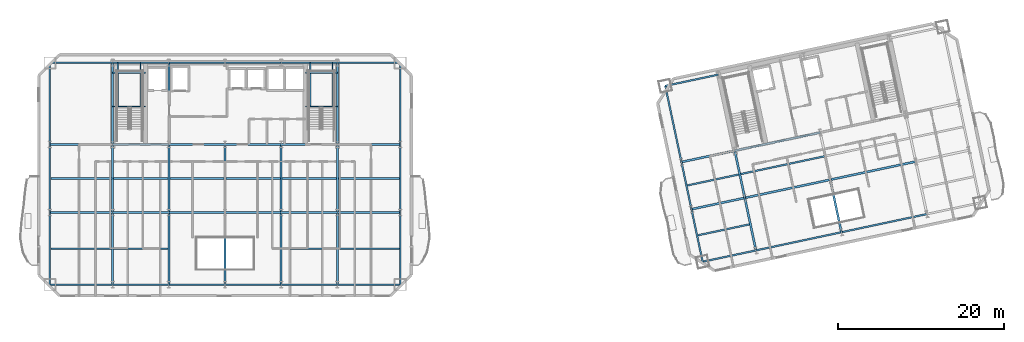
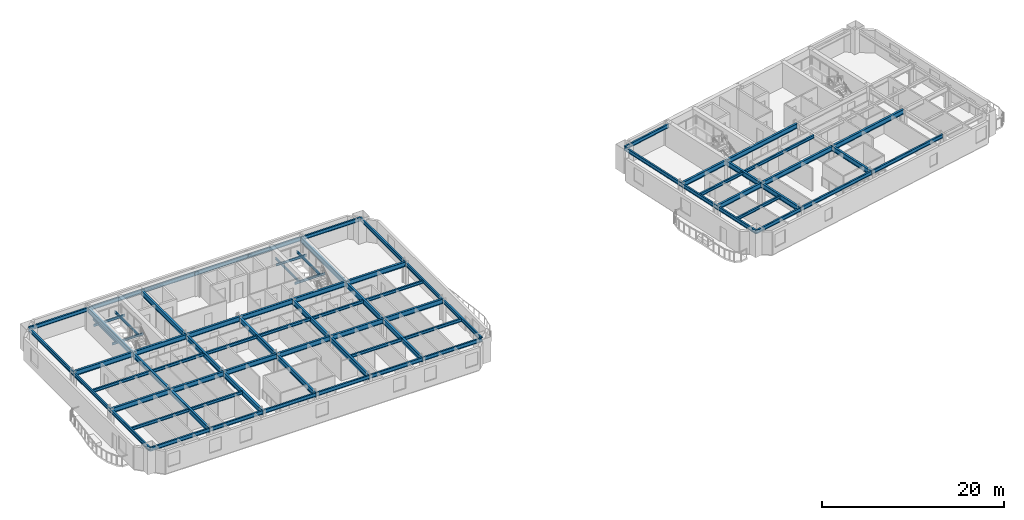
# One storey, part 3 of 14: 79 beams.
"""IFC4 building model written with IfcOpenShell, lengths in metres."""

from ifc_helpers import new_model, si_unit, direction, frame, origin, origin_2d, place, context, subcontext, project, spatial, i_section, extrude, material, material_profile, profile_set, type_object, element, save


model = new_model("IFC4")

# Units and contexts
model_context = context("Model", 3, precision=1e-05, world=origin(), true_north=direction((0.0, 1.0)))
body_context = subcontext(model_context, "Body", "Model", "MODEL_VIEW")
ifc_project = project(units=[si_unit("LENGTHUNIT", "METRE"), si_unit("AREAUNIT", "SQUARE_METRE"), si_unit("VOLUMEUNIT", "CUBIC_METRE"), si_unit("PLANEANGLEUNIT", "RADIAN"), si_unit("MASSUNIT", "GRAM", prefix="KILO")], contexts=[model_context])

# Site, building, storey
site_placement = place(None, origin())
site = spatial("IfcSite", under=ifc_project, at=site_placement, CompositionType="ELEMENT")
building_placement = place(site_placement, origin())
building = spatial("IfcBuilding", under=site, at=building_placement, Name="Haevon Station Towers", CompositionType="ELEMENT")
storey_placement = place(building_placement, frame((0.0, 0.0, 119.699951171875)))
storey = spatial("IfcBuildingStorey", under=building, at=storey_placement, Name="L32", CompositionType="ELEMENT", Elevation=119.699951171875)

# Beams
ifc_material = material(Name="Steel S355", Category="steel")
ifc_material_profile_1 = material_profile(ifc_material, i_section(OverallWidth=0.25, OverallDepth=0.64990234375, WebThickness=0.012939453125, FlangeThickness=0.02197265625, at=origin_2d()), Name="H-650x250x13x22")
ifc_profile_set_1 = profile_set([ifc_material_profile_1], Name="Steel S355")
beam_type_1 = type_object("IfcBeamType", Name="BM-G650", PredefinedType="BEAM", material=ifc_profile_set_1)
beam_1_placement = place(storey_placement, frame((16.449951171875, 30.0, 2.72509765625), z_axis=(1.0, 0.0, 0.0), x_axis=(0.0, 1.0, 0.0)))
element("IfcBeam", 1, at=beam_1_placement, inside=storey, type_object=beam_type_1, Name="BM-T1U-L32-02-01", PredefinedType="BEAM", context=body_context, shape_type="SweptSolid", body=[
    extrude(i_section(OverallWidth=0.25, OverallDepth=0.64990234375, WebThickness=0.012939453125, FlangeThickness=0.02197265625, at=origin_2d()), origin(), (0.0, 0.0, 1.0), 7.550048828125),
])
for number, where, z_axis, x_axis, name in (
    (2, (24.0, 30.0, 2.72509765625), (1.0, 0.0, 0.0), (0.0, 1.0, 0.0), "BM-T1U-L32-02-02"),
    (3, (30.75, 30.0, 2.72509765625), (1.0, 0.0, 0.0), (0.0, 1.0, 0.0), "BM-T1U-L32-02-03"),
    (4, (37.5, 30.0, 2.72509765625), (1.0, 0.0, 0.0), (0.0, 1.0, 0.0), "BM-T1U-L32-02-04"),
    (5, (44.25, 30.0, 2.72509765625), (1.0, 0.0, 0.0), (0.0, 1.0, 0.0), "BM-T1U-L32-02-05"),
):
    element("IfcBeam", number, at=place(storey_placement, frame(where, z_axis=z_axis, x_axis=x_axis)), inside=storey, type_object=beam_type_1, Name=name, PredefinedType="BEAM", context=body_context, shape_type="SweptSolid", body=[
        extrude(i_section(OverallWidth=0.25, OverallDepth=0.64990234375, WebThickness=0.012939453125, FlangeThickness=0.02197265625, at=origin_2d()), origin(), (0.0, 0.0, 1.0), 6.75),
    ])
for number, where, z_axis, x_axis, name in (
    (6, (51.0, 30.0, 2.72509765625), (1.0, 0.0, 0.0), (0.0, 1.0, 0.0), "BM-T1U-L32-02-06"),
    (7, (16.449951171875, 38.199951171875, 2.72509765625), (1.0, 0.0, 0.0), (0.0, 1.0, 0.0), "BM-T1U-L32-03-01"),
):
    element("IfcBeam", number, at=place(storey_placement, frame(where, z_axis=z_axis, x_axis=x_axis)), inside=storey, type_object=beam_type_1, Name=name, PredefinedType="BEAM", context=body_context, shape_type="SweptSolid", body=[
        extrude(i_section(OverallWidth=0.25, OverallDepth=0.64990234375, WebThickness=0.012939453125, FlangeThickness=0.02197265625, at=origin_2d()), origin(), (0.0, 0.0, 1.0), 7.550048828125),
    ])
for number, where, z_axis, x_axis, name in (
    (8, (24.0, 38.199951171875, 2.72509765625), (1.0, 0.0, 0.0), (0.0, 1.0, 0.0), "BM-T1U-L32-03-02"),
    (9, (30.75, 38.199951171875, 2.72509765625), (1.0, 0.0, 0.0), (0.0, 1.0, 0.0), "BM-T1U-L32-03-03"),
    (10, (37.5, 38.199951171875, 2.72509765625), (1.0, 0.0, 0.0), (0.0, 1.0, 0.0), "BM-T1U-L32-03-04"),
    (11, (44.25, 38.199951171875, 2.72509765625), (1.0, 0.0, 0.0), (0.0, 1.0, 0.0), "BM-T1U-L32-03-05"),
):
    element("IfcBeam", number, at=place(storey_placement, frame(where, z_axis=z_axis, x_axis=x_axis)), inside=storey, type_object=beam_type_1, Name=name, PredefinedType="BEAM", context=body_context, shape_type="SweptSolid", body=[
        extrude(i_section(OverallWidth=0.25, OverallDepth=0.64990234375, WebThickness=0.012939453125, FlangeThickness=0.02197265625, at=origin_2d()), origin(), (0.0, 0.0, 1.0), 6.75),
    ])
beam_2_placement = place(storey_placement, frame((51.0, 38.199951171875, 2.72509765625), z_axis=(1.0, 0.0, 0.0), x_axis=(0.0, 1.0, 0.0)))
element("IfcBeam", 12, at=beam_2_placement, inside=storey, type_object=beam_type_1, Name="BM-T1U-L32-03-06", PredefinedType="BEAM", context=body_context, shape_type="SweptSolid", body=[
    extrude(i_section(OverallWidth=0.25, OverallDepth=0.64990234375, WebThickness=0.012939453125, FlangeThickness=0.02197265625, at=origin_2d()), origin(), (0.0, 0.0, 1.0), 7.550048828125),
])
beam_3_placement = place(storey_placement, frame((24.0, 21.35009765625, 2.72509765625), z_axis=(0.0, 1.0, 0.0), x_axis=(-1.0, 0.0, 0.0)))
element("IfcBeam", 13, at=beam_3_placement, inside=storey, type_object=beam_type_1, Name="BM-T1V-L32-02-01", PredefinedType="BEAM", context=body_context, shape_type="SweptSolid", body=[
    extrude(i_section(OverallWidth=0.25, OverallDepth=0.64990234375, WebThickness=0.012939453125, FlangeThickness=0.02197265625, at=origin_2d()), origin(), (0.0, 0.0, 1.0), 8.64990234375),
])
beam_4_placement = place(storey_placement, frame((24.0, 30.0, 2.72509765625), z_axis=(0.0, 1.0, 0.0), x_axis=(-1.0, 0.0, 0.0)))
element("IfcBeam", 14, at=beam_4_placement, inside=storey, type_object=beam_type_1, Name="BM-T1V-L32-02-02", PredefinedType="BEAM", context=body_context, shape_type="SweptSolid", body=[
    extrude(i_section(OverallWidth=0.25, OverallDepth=0.64990234375, WebThickness=0.012939453125, FlangeThickness=0.02197265625, at=origin_2d()), origin(), (0.0, 0.0, 1.0), 8.199951171875),
])
beam_5_placement = place(storey_placement, frame((24.0, 38.199951171875, 2.72509765625), z_axis=(0.0, 1.0, 0.0), x_axis=(-1.0, 0.0, 0.0)))
element("IfcBeam", 15, at=beam_5_placement, inside=storey, type_object=beam_type_1, Name="BM-T1V-L32-02-03", PredefinedType="BEAM", context=body_context, shape_type="SweptSolid", body=[
    extrude(i_section(OverallWidth=0.25, OverallDepth=0.64990234375, WebThickness=0.012939453125, FlangeThickness=0.02197265625, at=origin_2d()), origin(), (0.0, 0.0, 1.0), 9.800048828125),
])
beam_6_placement = place(storey_placement, frame((30.75, 21.35009765625, 2.72509765625), z_axis=(0.0, 1.0, 0.0), x_axis=(-1.0, 0.0, 0.0)))
element("IfcBeam", 16, at=beam_6_placement, inside=storey, type_object=beam_type_1, Name="BM-T1V-L32-03-01", PredefinedType="BEAM", context=body_context, shape_type="SweptSolid", body=[
    extrude(i_section(OverallWidth=0.25, OverallDepth=0.64990234375, WebThickness=0.012939453125, FlangeThickness=0.02197265625, at=origin_2d()), origin(), (0.0, 0.0, 1.0), 8.64990234375),
])
beam_7_placement = place(storey_placement, frame((30.75, 30.0, 2.72509765625), z_axis=(0.0, 1.0, 0.0), x_axis=(-1.0, 0.0, 0.0)))
element("IfcBeam", 17, at=beam_7_placement, inside=storey, type_object=beam_type_1, Name="BM-T1V-L32-03-02", PredefinedType="BEAM", context=body_context, shape_type="SweptSolid", body=[
    extrude(i_section(OverallWidth=0.25, OverallDepth=0.64990234375, WebThickness=0.012939453125, FlangeThickness=0.02197265625, at=origin_2d()), origin(), (0.0, 0.0, 1.0), 8.199951171875),
])
beam_8_placement = place(storey_placement, frame((30.75, 38.199951171875, 2.72509765625), z_axis=(0.0, 1.0, 0.0), x_axis=(-1.0, 0.0, 0.0)))
element("IfcBeam", 18, at=beam_8_placement, inside=storey, type_object=beam_type_1, Name="BM-T1V-L32-03-03", PredefinedType="BEAM", context=body_context, shape_type="SweptSolid", body=[
    extrude(i_section(OverallWidth=0.25, OverallDepth=0.64990234375, WebThickness=0.012939453125, FlangeThickness=0.02197265625, at=origin_2d()), origin(), (0.0, 0.0, 1.0), 9.800048828125),
])
beam_9_placement = place(storey_placement, frame((37.5, 21.35009765625, 2.72509765625), z_axis=(0.0, 1.0, 0.0), x_axis=(-1.0, 0.0, 0.0)))
element("IfcBeam", 19, at=beam_9_placement, inside=storey, type_object=beam_type_1, Name="BM-T1V-L32-04-01", PredefinedType="BEAM", context=body_context, shape_type="SweptSolid", body=[
    extrude(i_section(OverallWidth=0.25, OverallDepth=0.64990234375, WebThickness=0.012939453125, FlangeThickness=0.02197265625, at=origin_2d()), origin(), (0.0, 0.0, 1.0), 8.64990234375),
])
beam_10_placement = place(storey_placement, frame((37.5, 30.0, 2.72509765625), z_axis=(0.0, 1.0, 0.0), x_axis=(-1.0, 0.0, 0.0)))
element("IfcBeam", 20, at=beam_10_placement, inside=storey, type_object=beam_type_1, Name="BM-T1V-L32-04-02", PredefinedType="BEAM", context=body_context, shape_type="SweptSolid", body=[
    extrude(i_section(OverallWidth=0.25, OverallDepth=0.64990234375, WebThickness=0.012939453125, FlangeThickness=0.02197265625, at=origin_2d()), origin(), (0.0, 0.0, 1.0), 8.199951171875),
])
beam_11_placement = place(storey_placement, frame((44.25, 21.35009765625, 2.72509765625), z_axis=(0.0, 1.0, 0.0), x_axis=(-1.0, 0.0, 0.0)))
element("IfcBeam", 21, at=beam_11_placement, inside=storey, type_object=beam_type_1, Name="BM-T1V-L32-05-01", PredefinedType="BEAM", context=body_context, shape_type="SweptSolid", body=[
    extrude(i_section(OverallWidth=0.25, OverallDepth=0.64990234375, WebThickness=0.012939453125, FlangeThickness=0.02197265625, at=origin_2d()), origin(), (0.0, 0.0, 1.0), 8.64990234375),
])
beam_12_placement = place(storey_placement, frame((44.25, 30.0, 2.72509765625), z_axis=(0.0, 1.0, 0.0), x_axis=(-1.0, 0.0, 0.0)))
element("IfcBeam", 22, at=beam_12_placement, inside=storey, type_object=beam_type_1, Name="BM-T1V-L32-05-02", PredefinedType="BEAM", context=body_context, shape_type="SweptSolid", body=[
    extrude(i_section(OverallWidth=0.25, OverallDepth=0.64990234375, WebThickness=0.012939453125, FlangeThickness=0.02197265625, at=origin_2d()), origin(), (0.0, 0.0, 1.0), 8.199951171875),
])
beam_13_placement = place(storey_placement, frame((51.0, 21.35009765625, 2.72509765625), z_axis=(0.0, 1.0, 0.0), x_axis=(-1.0, 0.0, 0.0)))
element("IfcBeam", 23, at=beam_13_placement, inside=storey, type_object=beam_type_1, Name="BM-T1V-L32-06-01", PredefinedType="BEAM", context=body_context, shape_type="SweptSolid", body=[
    extrude(i_section(OverallWidth=0.25, OverallDepth=0.64990234375, WebThickness=0.012939453125, FlangeThickness=0.02197265625, at=origin_2d()), origin(), (0.0, 0.0, 1.0), 8.64990234375),
])
beam_14_placement = place(storey_placement, frame((51.0, 30.0, 2.72509765625), z_axis=(0.0, 1.0, 0.0), x_axis=(-1.0, 0.0, 0.0)))
element("IfcBeam", 24, at=beam_14_placement, inside=storey, type_object=beam_type_1, Name="BM-T1V-L32-06-02", PredefinedType="BEAM", context=body_context, shape_type="SweptSolid", body=[
    extrude(i_section(OverallWidth=0.25, OverallDepth=0.64990234375, WebThickness=0.012939453125, FlangeThickness=0.02197265625, at=origin_2d()), origin(), (0.0, 0.0, 1.0), 8.199951171875),
])
beam_15_placement = place(storey_placement, frame((51.0, 38.199951171875, 2.72509765625), z_axis=(0.0, 1.0, 0.0), x_axis=(-1.0, 0.0, 0.0)))
element("IfcBeam", 25, at=beam_15_placement, inside=storey, type_object=beam_type_1, Name="BM-T1V-L32-06-03", PredefinedType="BEAM", context=body_context, shape_type="SweptSolid", body=[
    extrude(i_section(OverallWidth=0.25, OverallDepth=0.64990234375, WebThickness=0.012939453125, FlangeThickness=0.02197265625, at=origin_2d()), origin(), (0.0, 0.0, 1.0), 9.800048828125),
])
beam_16_placement = place(storey_placement, frame((93.55126953125, 30.4072265625, 2.72509765625), z_axis=(0.978148524343, 0.207907345532, 0.0), x_axis=(-0.207907345532, 0.978148524343, 0.0)))
element("IfcBeam", 26, at=beam_16_placement, inside=storey, type_object=beam_type_1, Name="BM-T2U-L32-02-01", PredefinedType="BEAM", context=body_context, shape_type="SweptSolid", body=[
    extrude(i_section(OverallWidth=0.25, OverallDepth=0.64990234375, WebThickness=0.012939453125, FlangeThickness=0.02197265625, at=origin_2d()), origin(), (0.0, 0.0, 1.0), 6.550048828125),
])
for number, where, z_axis, x_axis, name in (
    (27, (99.958251953125, 31.76904296875, 2.72509765625), (0.978146794194, 0.207915485254, 0.0), (-0.207915485254, 0.978146794194, 0.0), "BM-T2U-L32-02-02"),
    (28, (110.228759765625, 33.9521484375, 2.72509765625), (0.978146794194, 0.207915485254, 0.0), (-0.207915485254, 0.978146794194, 0.0), "BM-T2U-L32-02-03"),
):
    element("IfcBeam", number, at=place(storey_placement, frame(where, z_axis=z_axis, x_axis=x_axis)), inside=storey, type_object=beam_type_1, Name=name, PredefinedType="BEAM", context=body_context, shape_type="SweptSolid", body=[
        extrude(i_section(OverallWidth=0.25, OverallDepth=0.64990234375, WebThickness=0.012939453125, FlangeThickness=0.02197265625, at=origin_2d()), origin(), (0.0, 0.0, 1.0), 10.5),
    ])
beam_17_placement = place(storey_placement, frame((92.345458984375, 36.08056640625, 2.72509765625), z_axis=(0.978148524343, 0.207907345532, 0.0), x_axis=(-0.207907345532, 0.978148524343, 0.0)))
element("IfcBeam", 29, at=beam_17_placement, inside=storey, type_object=beam_type_1, Name="BM-T2U-L32-03-01", PredefinedType="BEAM", context=body_context, shape_type="SweptSolid", body=[
    extrude(i_section(OverallWidth=0.25, OverallDepth=0.64990234375, WebThickness=0.012939453125, FlangeThickness=0.02197265625, at=origin_2d()), origin(), (0.0, 0.0, 1.0), 6.550048828125),
])
beam_18_placement = place(storey_placement, frame((98.75244140625, 37.4423828125, 2.72509765625), z_axis=(0.978146794194, 0.207915485254, 0.0), x_axis=(-0.207915485254, 0.978146794194, 0.0)))
element("IfcBeam", 30, at=beam_18_placement, inside=storey, type_object=beam_type_1, Name="BM-T2U-L32-03-02", PredefinedType="BEAM", context=body_context, shape_type="SweptSolid", body=[
    extrude(i_section(OverallWidth=0.25, OverallDepth=0.64990234375, WebThickness=0.012939453125, FlangeThickness=0.02197265625, at=origin_2d()), origin(), (0.0, 0.0, 1.0), 10.5),
])
beam_19_placement = place(storey_placement, frame((101.29931640625, 25.460205078125, 2.72509765625), z_axis=(-0.207923493292, 0.978145091966, 0.0), x_axis=(-0.978145091966, -0.207923493292, 0.0)))
element("IfcBeam", 31, at=beam_19_placement, inside=storey, type_object=beam_type_1, Name="BM-T2V-L32-02-01", PredefinedType="BEAM", context=body_context, shape_type="SweptSolid", body=[
    extrude(i_section(OverallWidth=0.25, OverallDepth=0.64990234375, WebThickness=0.012939453125, FlangeThickness=0.02197265625, at=origin_2d()), origin(), (0.0, 0.0, 1.0), 6.44970703125),
])
beam_20_placement = place(storey_placement, frame((99.958251953125, 31.76904296875, 2.72509765625), z_axis=(-0.207896009217, 0.97815093383, 0.0), x_axis=(-0.97815093383, -0.207896009217, 0.0)))
element("IfcBeam", 32, at=beam_20_placement, inside=storey, type_object=beam_type_1, Name="BM-T2V-L32-02-02", PredefinedType="BEAM", context=body_context, shape_type="SweptSolid", body=[
    extrude(i_section(OverallWidth=0.25, OverallDepth=0.64990234375, WebThickness=0.012939453125, FlangeThickness=0.02197265625, at=origin_2d()), origin(), (0.0, 0.0, 1.0), 5.800048828125),
])
beam_21_placement = place(storey_placement, frame((111.56982421875, 27.64306640625, 2.72509765625), z_axis=(-0.207915795165, 0.978146728319, 0.0), x_axis=(-0.978146728319, -0.207915795165, 0.0)))
element("IfcBeam", 33, at=beam_21_placement, inside=storey, type_object=beam_type_1, Name="BM-T2V-L32-03-01", PredefinedType="BEAM", context=body_context, shape_type="SweptSolid", body=[
    extrude(i_section(OverallWidth=0.25, OverallDepth=0.64990234375, WebThickness=0.012939453125, FlangeThickness=0.02197265625, at=origin_2d()), origin(), (0.0, 0.0, 1.0), 6.449951171875),
])
ifc_material_profile_2 = material_profile(ifc_material, i_section(OverallWidth=0.199951171875, OverallDepth=0.39990234375, WebThickness=0.008056640625, FlangeThickness=0.012939453125, at=origin_2d()), Name="H-400x200x8x13")
ifc_profile_set_2 = profile_set([ifc_material_profile_2], Name="Steel S355")
beam_type_2 = type_object("IfcBeamType", Name="BM-J400", PredefinedType="JOIST", material=ifc_profile_set_2)
beam_22_placement = place(storey_placement, frame((16.56005859375, 25.675048828125, 2.85009765625), z_axis=(1.0, 0.0, 0.0), x_axis=(0.0, 1.0, 0.0)))
element("IfcBeam", 34, at=beam_22_placement, inside=storey, type_object=beam_type_2, Name="BM-T1J-L32-01-01", PredefinedType="JOIST", context=body_context, shape_type="SweptSolid", body=[
    extrude(i_section(OverallWidth=0.199951171875, OverallDepth=0.39990234375, WebThickness=0.008056640625, FlangeThickness=0.012939453125, at=origin_2d()), origin(), (0.0, 0.0, 1.0), 7.329833984375),
])
for number, where, z_axis, x_axis, name in (
    (35, (24.110107421875, 25.675048828125, 2.85009765625), (1.0, 0.0, 0.0), (0.0, 1.0, 0.0), "BM-T1J-L32-01-02"),
    (36, (44.360107421875, 25.675048828125, 2.85009765625), (1.0, 0.0, 0.0), (0.0, 1.0, 0.0), "BM-T1J-L32-01-05"),
):
    element("IfcBeam", number, at=place(storey_placement, frame(where, z_axis=z_axis, x_axis=x_axis)), inside=storey, type_object=beam_type_2, Name=name, PredefinedType="JOIST", context=body_context, shape_type="SweptSolid", body=[
        extrude(i_section(OverallWidth=0.199951171875, OverallDepth=0.39990234375, WebThickness=0.008056640625, FlangeThickness=0.012939453125, at=origin_2d()), origin(), (0.0, 0.0, 1.0), 6.52978515625),
    ])
for number, where, z_axis, x_axis, name in (
    (37, (51.110107421875, 25.675048828125, 2.85009765625), (1.0, 0.0, 0.0), (0.0, 1.0, 0.0), "BM-T1J-L32-01-06"),
    (38, (16.56005859375, 34.10009765625, 2.85009765625), (1.0, 0.0, 0.0), (0.0, 1.0, 0.0), "BM-T1J-L32-02-01"),
):
    element("IfcBeam", number, at=place(storey_placement, frame(where, z_axis=z_axis, x_axis=x_axis)), inside=storey, type_object=beam_type_2, Name=name, PredefinedType="JOIST", context=body_context, shape_type="SweptSolid", body=[
        extrude(i_section(OverallWidth=0.199951171875, OverallDepth=0.39990234375, WebThickness=0.008056640625, FlangeThickness=0.012939453125, at=origin_2d()), origin(), (0.0, 0.0, 1.0), 7.329833984375),
    ])
for number, where, z_axis, x_axis, name in (
    (39, (24.110107421875, 34.10009765625, 2.85009765625), (1.0, 0.0, 0.0), (0.0, 1.0, 0.0), "BM-T1J-L32-02-02"),
    (40, (30.860107421875, 34.10009765625, 2.85009765625), (1.0, 0.0, 0.0), (0.0, 1.0, 0.0), "BM-T1J-L32-02-03"),
    (41, (37.610107421875, 34.10009765625, 2.85009765625), (1.0, 0.0, 0.0), (0.0, 1.0, 0.0), "BM-T1J-L32-02-04"),
    (42, (44.360107421875, 34.10009765625, 2.85009765625), (1.0, 0.0, 0.0), (0.0, 1.0, 0.0), "BM-T1J-L32-02-05"),
):
    element("IfcBeam", number, at=place(storey_placement, frame(where, z_axis=z_axis, x_axis=x_axis)), inside=storey, type_object=beam_type_2, Name=name, PredefinedType="JOIST", context=body_context, shape_type="SweptSolid", body=[
        extrude(i_section(OverallWidth=0.199951171875, OverallDepth=0.39990234375, WebThickness=0.008056640625, FlangeThickness=0.012939453125, at=origin_2d()), origin(), (0.0, 0.0, 1.0), 6.52978515625),
    ])
beam_23_placement = place(storey_placement, frame((51.110107421875, 34.10009765625, 2.85009765625), z_axis=(1.0, 0.0, 0.0), x_axis=(0.0, 1.0, 0.0)))
element("IfcBeam", 43, at=beam_23_placement, inside=storey, type_object=beam_type_2, Name="BM-T1J-L32-02-06", PredefinedType="JOIST", context=body_context, shape_type="SweptSolid", body=[
    extrude(i_section(OverallWidth=0.199951171875, OverallDepth=0.39990234375, WebThickness=0.008056640625, FlangeThickness=0.012939453125, at=origin_2d()), origin(), (0.0, 0.0, 1.0), 7.329833984375),
])
beam_24_placement = place(storey_placement, frame((94.32958984375, 27.275634765625, 2.85009765625), z_axis=(0.978144831517, 0.207924718533, 0.0), x_axis=(-0.207924718533, 0.978144831517, 0.0)))
element("IfcBeam", 44, at=beam_24_placement, inside=storey, type_object=beam_type_2, Name="BM-T2J-L32-01-01", PredefinedType="JOIST", context=body_context, shape_type="SweptSolid", body=[
    extrude(i_section(OverallWidth=0.199951171875, OverallDepth=0.39990234375, WebThickness=0.008056640625, FlangeThickness=0.012939453125, at=origin_2d()), origin(), (0.0, 0.0, 1.0), 6.330078125),
])
beam_25_placement = place(storey_placement, frame((93.055908203125, 33.266845703125, 2.85009765625), z_axis=(0.978146498858, 0.207916874669, 0.0), x_axis=(-0.207916874669, 0.978146498858, 0.0)))
element("IfcBeam", 45, at=beam_25_placement, inside=storey, type_object=beam_type_2, Name="BM-T2J-L32-02-01", PredefinedType="JOIST", context=body_context, shape_type="SweptSolid", body=[
    extrude(i_section(OverallWidth=0.199951171875, OverallDepth=0.39990234375, WebThickness=0.008056640625, FlangeThickness=0.012939453125, at=origin_2d()), origin(), (0.0, 0.0, 1.0), 6.330322265625),
])
beam_26_placement = place(storey_placement, frame((99.462890625, 34.628662109375, 2.85009765625), z_axis=(0.978150339653, 0.207898804801, 0.0), x_axis=(-0.207898804801, 0.978150339653, 0.0)))
element("IfcBeam", 46, at=beam_26_placement, inside=storey, type_object=beam_type_2, Name="BM-T2J-L32-02-02", PredefinedType="JOIST", context=body_context, shape_type="SweptSolid", body=[
    extrude(i_section(OverallWidth=0.199951171875, OverallDepth=0.39990234375, WebThickness=0.008056640625, FlangeThickness=0.012939453125, at=origin_2d()), origin(), (0.0, 0.0, 1.0), 10.280029296875),
])
ifc_material_profile_3 = material_profile(ifc_material, i_section(OverallWidth=0.14990234375, OverallDepth=0.300048828125, WebThickness=0.006591796875, FlangeThickness=0.009033203125, at=origin_2d()), Name="H-300x150x6.5x9")
ifc_profile_set_3 = profile_set([ifc_material_profile_3], Name="Steel S355")
beam_type_3 = type_object("IfcBeamType", Name="BM-LIN300", PredefinedType="LINTEL", material=ifc_profile_set_3)
for number, where, z_axis, x_axis, name in (
    (47, (24.0, 42.743896484375, 1.300048828125), (1.0, 0.0, 0.0), (0.0, 1.0, 0.0), "BM-ST1L-L32-1-S"),
    (48, (24.0, 46.820068359375, 1.300048828125), (1.0, 0.0, 0.0), (0.0, 1.0, 0.0), "BM-ST1L-L32-1-N"),
):
    element("IfcBeam", number, at=place(storey_placement, frame(where, z_axis=z_axis, x_axis=x_axis)), inside=storey, type_object=beam_type_3, Name=name, PredefinedType="LINTEL", context=body_context, shape_type="SweptSolid", body=[
        extrude(i_section(OverallWidth=0.14990234375, OverallDepth=0.300048828125, WebThickness=0.006591796875, FlangeThickness=0.009033203125, at=origin_2d()), origin(), (0.0, 0.0, 1.0), 3.949951171875),
    ])
for number, where, z_axis, x_axis, name in (
    (49, (24.60009765625, 42.743896484375, 1.300048828125), (0.0, 1.0, 0.0), (-1.0, 0.0, 0.0), "BM-ST1L-L32-1-W"),
    (50, (27.35009765625, 42.743896484375, 1.300048828125), (0.0, 1.0, 0.0), (-1.0, 0.0, 0.0), "BM-ST1L-L32-1-E"),
):
    element("IfcBeam", number, at=place(storey_placement, frame(where, z_axis=z_axis, x_axis=x_axis)), inside=storey, type_object=beam_type_3, Name=name, PredefinedType="LINTEL", context=body_context, shape_type="SweptSolid", body=[
        extrude(i_section(OverallWidth=0.14990234375, OverallDepth=0.300048828125, WebThickness=0.006591796875, FlangeThickness=0.009033203125, at=origin_2d()), origin(), (0.0, 0.0, 1.0), 5.256103515625),
    ])
for number, where, z_axis, x_axis, name in (
    (51, (47.14990234375, 42.743896484375, 1.300048828125), (1.0, 0.0, 0.0), (0.0, 1.0, 0.0), "BM-ST2L-L32-1-S"),
    (52, (47.14990234375, 46.820068359375, 1.300048828125), (1.0, 0.0, 0.0), (0.0, 1.0, 0.0), "BM-ST2L-L32-1-N"),
):
    element("IfcBeam", number, at=place(storey_placement, frame(where, z_axis=z_axis, x_axis=x_axis)), inside=storey, type_object=beam_type_3, Name=name, PredefinedType="LINTEL", context=body_context, shape_type="SweptSolid", body=[
        extrude(i_section(OverallWidth=0.14990234375, OverallDepth=0.300048828125, WebThickness=0.006591796875, FlangeThickness=0.009033203125, at=origin_2d()), origin(), (0.0, 0.0, 1.0), 3.85009765625),
    ])
for number, where, z_axis, x_axis, name in (
    (53, (47.75, 42.743896484375, 1.300048828125), (0.0, 1.0, 0.0), (-1.0, 0.0, 0.0), "BM-ST2L-L32-1-W"),
    (54, (50.39990234375, 42.743896484375, 1.300048828125), (0.0, 1.0, 0.0), (-1.0, 0.0, 0.0), "BM-ST2L-L32-1-E"),
):
    element("IfcBeam", number, at=place(storey_placement, frame(where, z_axis=z_axis, x_axis=x_axis)), inside=storey, type_object=beam_type_3, Name=name, PredefinedType="LINTEL", context=body_context, shape_type="SweptSolid", body=[
        extrude(i_section(OverallWidth=0.14990234375, OverallDepth=0.300048828125, WebThickness=0.006591796875, FlangeThickness=0.009033203125, at=origin_2d()), origin(), (0.0, 0.0, 1.0), 5.256103515625),
    ])
ifc_material_profile_4 = material_profile(ifc_material, i_section(OverallWidth=0.199951171875, OverallDepth=0.5, WebThickness=0.010009765625, FlangeThickness=0.01611328125, at=origin_2d()), Name="H-500x200x10x16")
ifc_profile_set_4 = profile_set([ifc_material_profile_4], Name="Steel S355")
beam_type_4 = type_object("IfcBeamType", Name="BM-SP500", PredefinedType="SPANDREL", material=ifc_profile_set_4)
beam_27_placement = place(storey_placement, frame((16.449951171875, 21.35009765625, 2.800048828125), z_axis=(1.0, 0.0, 0.0), x_axis=(0.0, 1.0, 0.0)))
element("IfcBeam", 55, at=beam_27_placement, inside=storey, type_object=beam_type_4, Name="BM-T1U-L32-01-01", PredefinedType="SPANDREL", context=body_context, shape_type="SweptSolid", body=[
    extrude(i_section(OverallWidth=0.199951171875, OverallDepth=0.5, WebThickness=0.010009765625, FlangeThickness=0.01611328125, at=origin_2d()), origin(), (0.0, 0.0, 1.0), 7.550048828125),
])
for number, where, z_axis, x_axis, name in (
    (56, (24.0, 21.35009765625, 2.800048828125), (1.0, 0.0, 0.0), (0.0, 1.0, 0.0), "BM-T1U-L32-01-02"),
    (57, (30.75, 21.35009765625, 2.800048828125), (1.0, 0.0, 0.0), (0.0, 1.0, 0.0), "BM-T1U-L32-01-03"),
    (58, (37.5, 21.35009765625, 2.800048828125), (1.0, 0.0, 0.0), (0.0, 1.0, 0.0), "BM-T1U-L32-01-04"),
    (59, (44.25, 21.35009765625, 2.800048828125), (1.0, 0.0, 0.0), (0.0, 1.0, 0.0), "BM-T1U-L32-01-05"),
):
    element("IfcBeam", number, at=place(storey_placement, frame(where, z_axis=z_axis, x_axis=x_axis)), inside=storey, type_object=beam_type_4, Name=name, PredefinedType="SPANDREL", context=body_context, shape_type="SweptSolid", body=[
        extrude(i_section(OverallWidth=0.199951171875, OverallDepth=0.5, WebThickness=0.010009765625, FlangeThickness=0.01611328125, at=origin_2d()), origin(), (0.0, 0.0, 1.0), 6.75),
    ])
for number, where, z_axis, x_axis, name in (
    (60, (51.0, 21.35009765625, 2.800048828125), (1.0, 0.0, 0.0), (0.0, 1.0, 0.0), "BM-T1U-L32-01-06"),
    (61, (16.449951171875, 48.0, 2.800048828125), (1.0, 0.0, 0.0), (0.0, 1.0, 0.0), "BM-T1U-L32-04-01"),
):
    element("IfcBeam", number, at=place(storey_placement, frame(where, z_axis=z_axis, x_axis=x_axis)), inside=storey, type_object=beam_type_4, Name=name, PredefinedType="SPANDREL", context=body_context, shape_type="SweptSolid", body=[
        extrude(i_section(OverallWidth=0.199951171875, OverallDepth=0.5, WebThickness=0.010009765625, FlangeThickness=0.01611328125, at=origin_2d()), origin(), (0.0, 0.0, 1.0), 7.550048828125),
    ])
for number, where, z_axis, x_axis, name in (
    (62, (24.0, 48.0, 2.800048828125), (1.0, 0.0, 0.0), (0.0, 1.0, 0.0), "BM-T1U-L32-04-02"),
    (63, (30.75, 48.0, 2.800048828125), (1.0, 0.0, 0.0), (0.0, 1.0, 0.0), "BM-T1U-L32-04-03"),
    (64, (37.5, 48.0, 2.800048828125), (1.0, 0.0, 0.0), (0.0, 1.0, 0.0), "BM-T1U-L32-04-04"),
    (65, (44.25, 48.0, 2.800048828125), (1.0, 0.0, 0.0), (0.0, 1.0, 0.0), "BM-T1U-L32-04-05"),
):
    element("IfcBeam", number, at=place(storey_placement, frame(where, z_axis=z_axis, x_axis=x_axis)), inside=storey, type_object=beam_type_4, Name=name, PredefinedType="SPANDREL", context=body_context, shape_type="SweptSolid", body=[
        extrude(i_section(OverallWidth=0.199951171875, OverallDepth=0.5, WebThickness=0.010009765625, FlangeThickness=0.01611328125, at=origin_2d()), origin(), (0.0, 0.0, 1.0), 6.75),
    ])
beam_28_placement = place(storey_placement, frame((51.0, 48.0, 2.800048828125), z_axis=(1.0, 0.0, 0.0), x_axis=(0.0, 1.0, 0.0)))
element("IfcBeam", 66, at=beam_28_placement, inside=storey, type_object=beam_type_4, Name="BM-T1U-L32-04-06", PredefinedType="SPANDREL", context=body_context, shape_type="SweptSolid", body=[
    extrude(i_section(OverallWidth=0.199951171875, OverallDepth=0.5, WebThickness=0.010009765625, FlangeThickness=0.01611328125, at=origin_2d()), origin(), (0.0, 0.0, 1.0), 7.550048828125),
])
beam_29_placement = place(storey_placement, frame((16.449951171875, 21.35009765625, 2.800048828125), z_axis=(0.0, 1.0, 0.0), x_axis=(-1.0, 0.0, 0.0)))
element("IfcBeam", 67, at=beam_29_placement, inside=storey, type_object=beam_type_4, Name="BM-T1V-L32-01-01", PredefinedType="SPANDREL", context=body_context, shape_type="SweptSolid", body=[
    extrude(i_section(OverallWidth=0.199951171875, OverallDepth=0.5, WebThickness=0.010009765625, FlangeThickness=0.01611328125, at=origin_2d()), origin(), (0.0, 0.0, 1.0), 8.64990234375),
])
beam_30_placement = place(storey_placement, frame((16.449951171875, 30.0, 2.800048828125), z_axis=(0.0, 1.0, 0.0), x_axis=(-1.0, 0.0, 0.0)))
element("IfcBeam", 68, at=beam_30_placement, inside=storey, type_object=beam_type_4, Name="BM-T1V-L32-01-02", PredefinedType="SPANDREL", context=body_context, shape_type="SweptSolid", body=[
    extrude(i_section(OverallWidth=0.199951171875, OverallDepth=0.5, WebThickness=0.010009765625, FlangeThickness=0.01611328125, at=origin_2d()), origin(), (0.0, 0.0, 1.0), 8.199951171875),
])
beam_31_placement = place(storey_placement, frame((16.449951171875, 38.199951171875, 2.800048828125), z_axis=(0.0, 1.0, 0.0), x_axis=(-1.0, 0.0, 0.0)))
element("IfcBeam", 69, at=beam_31_placement, inside=storey, type_object=beam_type_4, Name="BM-T1V-L32-01-03", PredefinedType="SPANDREL", context=body_context, shape_type="SweptSolid", body=[
    extrude(i_section(OverallWidth=0.199951171875, OverallDepth=0.5, WebThickness=0.010009765625, FlangeThickness=0.01611328125, at=origin_2d()), origin(), (0.0, 0.0, 1.0), 9.800048828125),
])
beam_32_placement = place(storey_placement, frame((58.550048828125, 21.35009765625, 2.800048828125), z_axis=(0.0, 1.0, 0.0), x_axis=(-1.0, 0.0, 0.0)))
element("IfcBeam", 70, at=beam_32_placement, inside=storey, type_object=beam_type_4, Name="BM-T1V-L32-07-01", PredefinedType="SPANDREL", context=body_context, shape_type="SweptSolid", body=[
    extrude(i_section(OverallWidth=0.199951171875, OverallDepth=0.5, WebThickness=0.010009765625, FlangeThickness=0.01611328125, at=origin_2d()), origin(), (0.0, 0.0, 1.0), 8.64990234375),
])
beam_33_placement = place(storey_placement, frame((58.550048828125, 30.0, 2.800048828125), z_axis=(0.0, 1.0, 0.0), x_axis=(-1.0, 0.0, 0.0)))
element("IfcBeam", 71, at=beam_33_placement, inside=storey, type_object=beam_type_4, Name="BM-T1V-L32-07-02", PredefinedType="SPANDREL", context=body_context, shape_type="SweptSolid", body=[
    extrude(i_section(OverallWidth=0.199951171875, OverallDepth=0.5, WebThickness=0.010009765625, FlangeThickness=0.01611328125, at=origin_2d()), origin(), (0.0, 0.0, 1.0), 8.199951171875),
])
beam_34_placement = place(storey_placement, frame((58.550048828125, 38.199951171875, 2.800048828125), z_axis=(0.0, 1.0, 0.0), x_axis=(-1.0, 0.0, 0.0)))
element("IfcBeam", 72, at=beam_34_placement, inside=storey, type_object=beam_type_4, Name="BM-T1V-L32-07-03", PredefinedType="SPANDREL", context=body_context, shape_type="SweptSolid", body=[
    extrude(i_section(OverallWidth=0.199951171875, OverallDepth=0.5, WebThickness=0.010009765625, FlangeThickness=0.01611328125, at=origin_2d()), origin(), (0.0, 0.0, 1.0), 9.800048828125),
])
beam_35_placement = place(storey_placement, frame((94.892333984375, 24.098388671875, 2.800048828125), z_axis=(0.978148524343, 0.207907345532, 0.0), x_axis=(-0.207907345532, 0.978148524343, 0.0)))
element("IfcBeam", 73, at=beam_35_placement, inside=storey, type_object=beam_type_4, Name="BM-T2U-L32-01-01", PredefinedType="SPANDREL", context=body_context, shape_type="SweptSolid", body=[
    extrude(i_section(OverallWidth=0.199951171875, OverallDepth=0.5, WebThickness=0.010009765625, FlangeThickness=0.01611328125, at=origin_2d()), origin(), (0.0, 0.0, 1.0), 6.550048828125),
])
for number, where, z_axis, x_axis, name in (
    (74, (101.29931640625, 25.460205078125, 2.800048828125), (0.978151522678, 0.207893238667, 0.0), (-0.207893238667, 0.978151522678, 0.0), "BM-T2U-L32-01-02"),
    (75, (111.56982421875, 27.64306640625, 2.800048828125), (0.978146794194, 0.207915485254, 0.0), (-0.207915485254, 0.978146794194, 0.0), "BM-T2U-L32-01-03"),
):
    element("IfcBeam", number, at=place(storey_placement, frame(where, z_axis=z_axis, x_axis=x_axis)), inside=storey, type_object=beam_type_4, Name=name, PredefinedType="SPANDREL", context=body_context, shape_type="SweptSolid", body=[
        extrude(i_section(OverallWidth=0.199951171875, OverallDepth=0.5, WebThickness=0.010009765625, FlangeThickness=0.01611328125, at=origin_2d()), origin(), (0.0, 0.0, 1.0), 10.5),
    ])
beam_36_placement = place(storey_placement, frame((90.401611328125, 45.226318359375, 2.800048828125), z_axis=(0.978146913123, 0.207914925745, 0.0), x_axis=(-0.207914925745, 0.978146913123, 0.0)))
element("IfcBeam", 76, at=beam_36_placement, inside=storey, type_object=beam_type_4, Name="BM-T2U-L32-04-01", PredefinedType="SPANDREL", context=body_context, shape_type="SweptSolid", body=[
    extrude(i_section(OverallWidth=0.199951171875, OverallDepth=0.5, WebThickness=0.010009765625, FlangeThickness=0.01611328125, at=origin_2d()), origin(), (0.0, 0.0, 1.0), 6.5498046875),
])
beam_37_placement = place(storey_placement, frame((94.892333984375, 24.098388671875, 2.800048828125), z_axis=(-0.207923493292, 0.978145091966, 0.0), x_axis=(-0.978145091966, -0.207923493292, 0.0)))
element("IfcBeam", 77, at=beam_37_placement, inside=storey, type_object=beam_type_4, Name="BM-T2V-L32-01-01", PredefinedType="SPANDREL", context=body_context, shape_type="SweptSolid", body=[
    extrude(i_section(OverallWidth=0.199951171875, OverallDepth=0.5, WebThickness=0.010009765625, FlangeThickness=0.01611328125, at=origin_2d()), origin(), (0.0, 0.0, 1.0), 6.44970703125),
])
beam_38_placement = place(storey_placement, frame((93.55126953125, 30.4072265625, 2.800048828125), z_axis=(-0.207896009217, 0.97815093383, 0.0), x_axis=(-0.97815093383, -0.207896009217, 0.0)))
element("IfcBeam", 78, at=beam_38_placement, inside=storey, type_object=beam_type_4, Name="BM-T2V-L32-01-02", PredefinedType="SPANDREL", context=body_context, shape_type="SweptSolid", body=[
    extrude(i_section(OverallWidth=0.199951171875, OverallDepth=0.5, WebThickness=0.010009765625, FlangeThickness=0.01611328125, at=origin_2d()), origin(), (0.0, 0.0, 1.0), 5.800048828125),
])
beam_39_placement = place(storey_placement, frame((92.345458984375, 36.08056640625, 2.800048828125), z_axis=(-0.207897167074, 0.978150687738, 0.0), x_axis=(-0.978150687738, -0.207897167074, 0.0)))
element("IfcBeam", 79, at=beam_39_placement, inside=storey, type_object=beam_type_4, Name="BM-T2V-L32-01-03", PredefinedType="SPANDREL", context=body_context, shape_type="SweptSolid", body=[
    extrude(i_section(OverallWidth=0.199951171875, OverallDepth=0.5, WebThickness=0.010009765625, FlangeThickness=0.01611328125, at=origin_2d()), origin(), (0.0, 0.0, 1.0), 9.35009765625),
])

save(model, "model.ifc")
